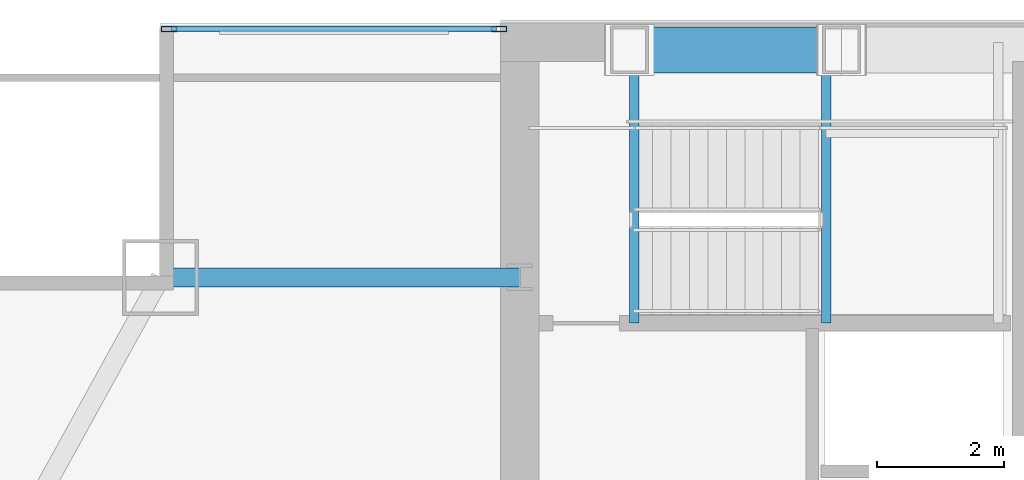
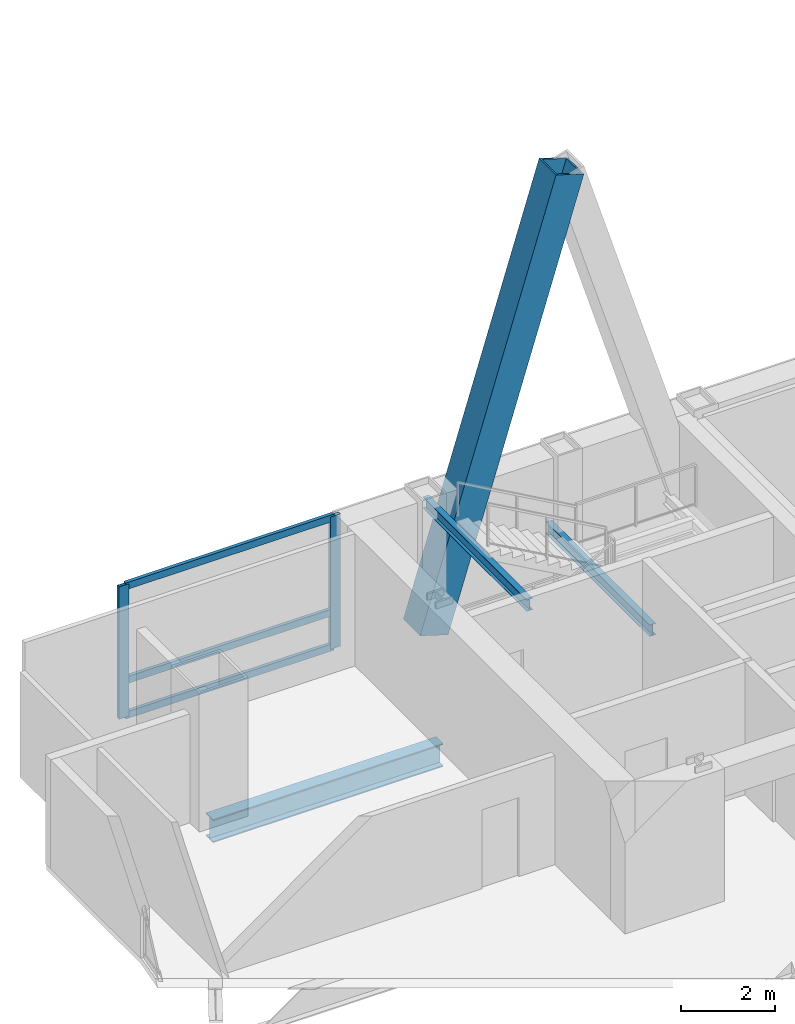
# One storey, part 23 of 32: 6 members, 3 beams, 1 element without a shape of its own.
"""IFC4 building model written with IfcOpenShell, lengths in metres."""

from ifc_helpers import new_model, si_unit, direction, frame, origin, origin_2d, place, context, subcontext, project, spatial, hollow_rectangle, i_section, extrude, material, material_profile, profile_set, type_object, element, aggregate, save


model = new_model("IFC4")

# Units and contexts
model_context = context("Model", 3, precision=1e-05, world=origin(), true_north=direction((0.0, 1.0)))
body_context = subcontext(model_context, "Body", "Model", "MODEL_VIEW")
ifc_project = project(units=[si_unit("LENGTHUNIT", "METRE"), si_unit("AREAUNIT", "SQUARE_METRE"), si_unit("VOLUMEUNIT", "CUBIC_METRE"), si_unit("PLANEANGLEUNIT", "RADIAN"), si_unit("MASSUNIT", "GRAM", prefix="KILO")], contexts=[model_context])

# Site, building, storey
site_placement = place(None, origin())
site = spatial("IfcSite", under=ifc_project, at=site_placement, CompositionType="ELEMENT")
building_placement = place(site_placement, origin())
building = spatial("IfcBuilding", under=site, at=building_placement, Name="Khoronbel Lancet Exchange", CompositionType="ELEMENT")
storey_placement = place(building_placement, frame((0.0, 0.0, 199.39990234375)))
storey = spatial("IfcBuildingStorey", under=building, at=storey_placement, Name="L50", CompositionType="ELEMENT", Elevation=199.39990234375)

# Beams
ifc_material_1 = material(Name="Steel S355", Category="steel")
ifc_material_profile_1 = material_profile(ifc_material_1, i_section(OverallWidth=0.14990234375, OverallDepth=0.300048828125, WebThickness=0.007080078125, FlangeThickness=0.0107421875, at=origin_2d()), Name="IPE 300")
ifc_profile_set_1 = profile_set([ifc_material_profile_1], Name="Steel S355")
beam_type_1 = type_object("IfcBeamType", Name="BM-BJ8", PredefinedType="JOIST", material=ifc_profile_set_1)
for number, where, z_axis, x_axis, name in (
    (1, (21.320068359375, 48.97998046875, 1.4501953125), (0.0, 1.0, 0.0), (-1.0, 0.0, 0.0), "Level L50 stair ST1 landing bearer beam 1"),
    (2, (18.300048828125, 48.97998046875, 3.16015625), (0.0, 1.0, 0.0), (-1.0, 0.0, 0.0), "Level L50 stair ST1 upper-flight arrival trimmer beam"),
):
    element("IfcBeam", number, at=place(storey_placement, frame(where, z_axis=z_axis, x_axis=x_axis)), inside=storey, type_object=beam_type_1, Name=name, PredefinedType="JOIST", context=body_context, shape_type="SweptSolid", body=[
        extrude(i_section(OverallWidth=0.14990234375, OverallDepth=0.300048828125, WebThickness=0.007080078125, FlangeThickness=0.0107421875, at=origin_2d()), origin(), (0.0, 0.0, 1.0), 4.419921875),
    ])
ifc_material_profile_2 = material_profile(ifc_material_1, i_section(OverallWidth=0.300048828125, OverallDepth=0.60009765625, WebThickness=0.015380859375, FlangeThickness=0.030029296875, at=origin_2d()), Name="HEB 600")
ifc_profile_set_2 = profile_set([ifc_material_profile_2], Name="Steel S355")
beam_type_2 = type_object("IfcBeamType", Name="BM-BSP2", PredefinedType="SPANDREL", material=ifc_profile_set_2)
beam_placement = place(storey_placement, frame((10.85009765625, 49.699951171875, -0.4599609375), z_axis=(1.0, 0.0, 0.0), x_axis=(0.0, 1.0, 0.0)))
element("IfcBeam", 3, at=beam_placement, inside=storey, type_object=beam_type_2, Name="Level L50 north flank tie spandrel SP22", PredefinedType="SPANDREL", context=body_context, shape_type="SweptSolid", body=[
    extrude(i_section(OverallWidth=0.300048828125, OverallDepth=0.60009765625, WebThickness=0.015380859375, FlangeThickness=0.030029296875, at=origin_2d()), origin(), (0.0, 0.0, 1.0), 5.64990234375),
])

# Curtain wall, members
ifc_material_2 = material(Name="Low-E Solar Control Insulating Glass", Category="glass")
curtain_wall_type = type_object("IfcCurtainWallType", Name="CW-3", PredefinedType="NOTDEFINED", material=ifc_material_2)
curtain_wall_placement = place(storey_placement, origin())
curtain_wall = element("IfcCurtainWall", 4, at=curtain_wall_placement, inside=storey, type_object=curtain_wall_type, Name="Unitised curtain wall CW-L50-NWFLK", PredefinedType="NOTDEFINED")
ifc_material_3 = material(Name="Bronze-Anodised Aluminium 6063-T6", Category="aluminium")
ifc_material_profile_3 = material_profile(ifc_material_3, hollow_rectangle(XDim=0.0849609375, YDim=0.239990234375, WallThickness=0.006103515625, at=origin_2d()), Name="ALU MULLION 85x240")
ifc_profile_set_3 = profile_set([ifc_material_profile_3], Name="Bronze-Anodised Aluminium 6063-T6")
member_type_1 = type_object("IfcMemberType", Name="MEM-CWM1", PredefinedType="MULLION", material=ifc_profile_set_3)
member_1_placement = place(storey_placement, frame((16.177490234375, 53.610107421875, 0.0), z_axis=(0.0, 0.0, 1.0), x_axis=(0.0, -1.0, 0.0)))
member_1 = element("IfcMember", 5, at=member_1_placement, type_object=member_type_1, Name="CW3 mullion 1", PredefinedType="MULLION", context=body_context, shape_type="SweptSolid", body=[
    extrude(hollow_rectangle(XDim=0.0849609375, YDim=0.239990234375, WallThickness=0.006103515625, at=origin_2d()), origin(), (0.0, 0.0, 1.0), 3.440185546875),
])
member_2_placement = place(storey_placement, frame((10.982421875, 53.610107421875, 0.0), z_axis=(0.0, 0.0, 1.0), x_axis=(0.0, -1.0, 0.0)))
member_2 = element("IfcMember", 6, at=member_2_placement, type_object=member_type_1, Name="CW3 mullion 2", PredefinedType="MULLION", context=body_context, shape_type="SweptSolid", body=[
    extrude(hollow_rectangle(XDim=0.0849609375, YDim=0.239990234375, WallThickness=0.006103515625, at=origin_2d()), origin(), (0.0, 0.0, 1.0), 3.440185546875),
])
ifc_material_profile_4 = material_profile(ifc_material_3, hollow_rectangle(XDim=0.0849609375, YDim=0.179931640625, WallThickness=0.0048828125, at=origin_2d()), Name="ALU TRANSOM 85x180")
ifc_profile_set_4 = profile_set([ifc_material_profile_4], Name="Bronze-Anodised Aluminium 6063-T6")
member_type_2 = type_object("IfcMemberType", Name="MEM-CWT1", PredefinedType="USERDEFINED", material=ifc_profile_set_4)
member_3_placement = place(storey_placement, frame((16.135009765625, 53.610107421875, 0.04248046875), z_axis=(-1.0, 0.0, 0.0), x_axis=(0.0, -1.0, 0.0)))
member_3 = element("IfcMember", 7, at=member_3_placement, type_object=member_type_2, Name="CW3 transom 1.1", ObjectType="TRANSOM", PredefinedType="USERDEFINED", context=body_context, shape_type="SweptSolid", body=[
    extrude(hollow_rectangle(XDim=0.0849609375, YDim=0.179931640625, WallThickness=0.0048828125, at=origin_2d()), origin(), (0.0, 0.0, 1.0), 5.110107421875),
])
member_4_placement = place(storey_placement, frame((16.135009765625, 53.610107421875, 0.9501953125), z_axis=(-1.0, 0.0, 0.0), x_axis=(0.0, -1.0, 0.0)))
member_4 = element("IfcMember", 8, at=member_4_placement, type_object=member_type_2, Name="CW3 transom 1.2", ObjectType="TRANSOM", PredefinedType="USERDEFINED", context=body_context, shape_type="SweptSolid", body=[
    extrude(hollow_rectangle(XDim=0.0849609375, YDim=0.179931640625, WallThickness=0.0048828125, at=origin_2d()), origin(), (0.0, 0.0, 1.0), 5.110107421875),
])
member_5_placement = place(storey_placement, frame((16.135009765625, 53.610107421875, 3.397705078125), z_axis=(-1.0, 0.0, 0.0), x_axis=(0.0, -1.0, 0.0)))
member_5 = element("IfcMember", 9, at=member_5_placement, type_object=member_type_2, Name="CW3 transom 1.3", ObjectType="TRANSOM", PredefinedType="USERDEFINED", context=body_context, shape_type="SweptSolid", body=[
    extrude(hollow_rectangle(XDim=0.0849609375, YDim=0.179931640625, WallThickness=0.0048828125, at=origin_2d()), origin(), (0.0, 0.0, 1.0), 5.110107421875),
])
aggregate(curtain_wall, [member_1, member_2, member_3, member_4, member_5])

# Member
ifc_material_4 = material(Name="Steel S460", Category="steel")
ifc_material_profile_5 = material_profile(ifc_material_4, hollow_rectangle(XDim=0.719970703125, YDim=0.719970703125, WallThickness=0.050048828125, at=origin_2d()), Name="BOX 720x720x50")
ifc_profile_set_5 = profile_set([ifc_material_profile_5], Name="Steel S460")
member_type_3 = type_object("IfcMemberType", Name="MEM-MB2", PredefinedType="BRACE", material=ifc_profile_set_5)
member_6_placement = place(storey_placement, frame((18.22509765625, 53.280029296875, 0.0), z_axis=(0.295242108906, 0.0, 0.955422470496), x_axis=(0.0, 1.0, 0.0)))
element("IfcMember", 10, at=member_6_placement, inside=storey, type_object=member_type_3, Name="Perimeter lancet brace tier 17 N-W-L", PredefinedType="BRACE", context=body_context, shape_type="SweptSolid", body=[
    extrude(hollow_rectangle(XDim=0.719970703125, YDim=0.719970703125, WallThickness=0.050048828125, at=origin_2d()), origin(), (0.0, 0.0, 1.0), 11.303955078125),
])

save(model, "model.ifc")
